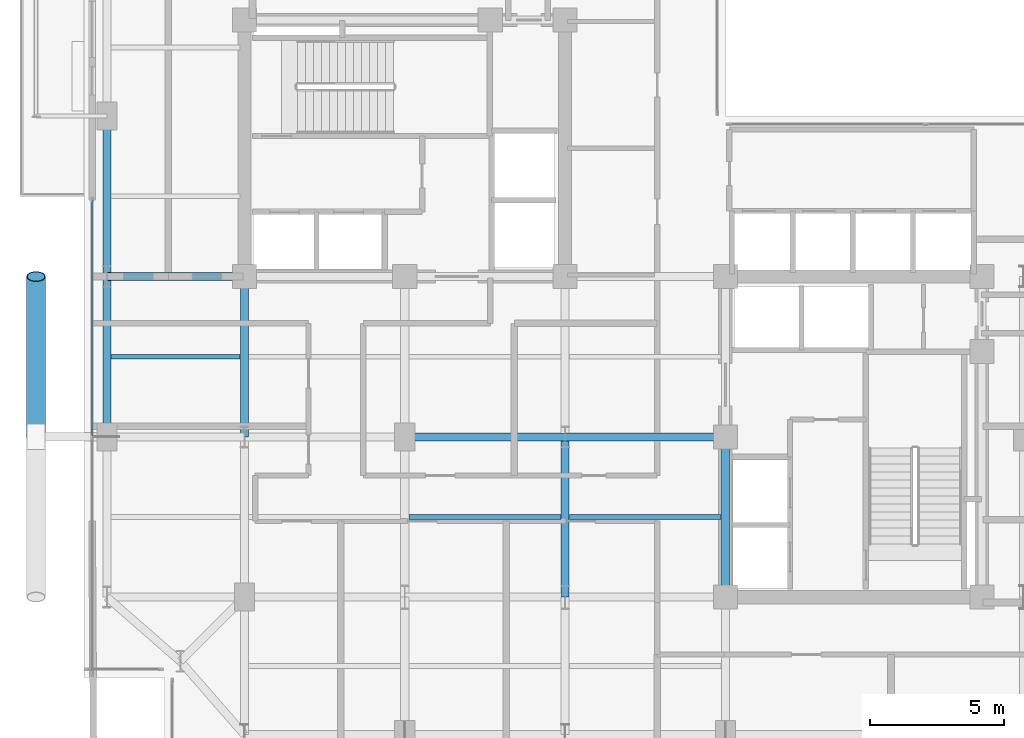
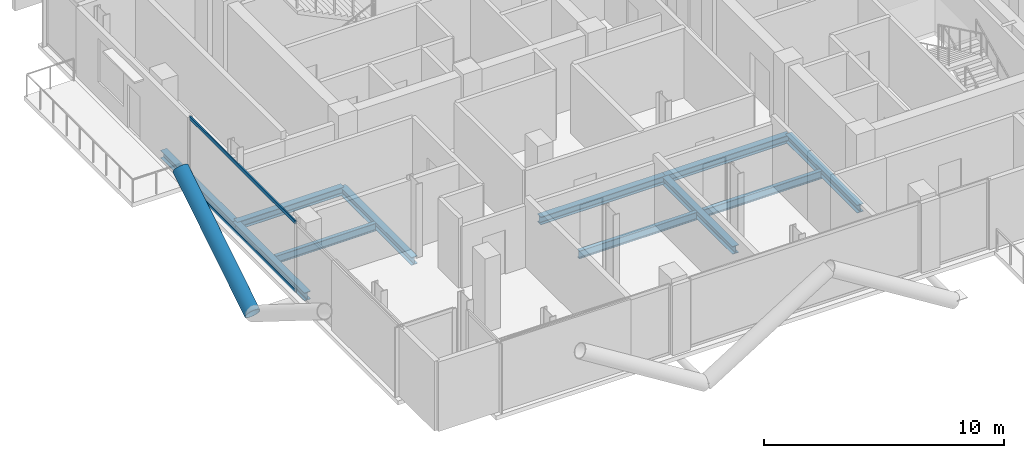
# One storey, part 6 of 26: 11 beams, 3 members, 1 element without a shape of its own.
"""IFC4 building model written with IfcOpenShell, lengths in metres."""

from ifc_helpers import new_model, si_unit, direction, frame, origin, origin_2d, place, context, subcontext, project, spatial, hollow_rectangle, hollow_circle, i_section, extrude, material, layer, layer_set, material_profile, profile_set, type_object, element, aggregate, save


model = new_model("IFC4")

# Units and contexts
model_context = context("Model", 3, precision=1e-05, world=origin(), true_north=direction((0.0, 1.0)))
body_context = subcontext(model_context, "Body", "Model", "MODEL_VIEW")
ifc_project = project(units=[si_unit("LENGTHUNIT", "METRE"), si_unit("AREAUNIT", "SQUARE_METRE"), si_unit("VOLUMEUNIT", "CUBIC_METRE"), si_unit("PLANEANGLEUNIT", "RADIAN"), si_unit("MASSUNIT", "GRAM", prefix="KILO"), si_unit("THERMODYNAMICTEMPERATUREUNIT", "KELVIN"), si_unit("POWERUNIT", "WATT")], contexts=[model_context])

# Site, building, storey
site_placement = place(None, origin())
site = spatial("IfcSite", under=ifc_project, at=site_placement, CompositionType="ELEMENT")
building_placement = place(site_placement, origin())
building = spatial("IfcBuilding", under=site, at=building_placement, Name="Svarakhadi Broadcast Tower", CompositionType="ELEMENT")
storey_placement = place(building_placement, frame((0.0, 0.0, 184.199951171875)))
storey = spatial("IfcBuildingStorey", under=building, at=storey_placement, Name="L45", CompositionType="ELEMENT", Elevation=184.199951171875)

# Beams
ifc_material_1 = material(Name="Steel S355J2 (IS 2062 E350C)", Category="steel")
ifc_material_profile_1 = material_profile(ifc_material_1, i_section(OverallWidth=0.179931640625, OverallDepth=0.39990234375, WebThickness=0.008544921875, FlangeThickness=0.013427734375, FilletRadius=0.02099609375, at=origin_2d()), Name="NPB 400x180x66")
ifc_profile_set_1 = profile_set([ifc_material_profile_1], Name="Steel S355J2 (IS 2062 E350C)")
beam_type_1 = type_object("IfcBeamType", Name="Beam_NPB400", PredefinedType="BEAM", material=ifc_profile_set_1)
beam_1_placement = place(storey_placement, frame((1.010009765625, 15.0, -0.409912109375), z_axis=(1.0, 0.0, 0.0), x_axis=(0.0, 1.0, 0.0)))
element("IfcBeam", 1, at=beam_1_placement, inside=storey, type_object=beam_type_1, Name="L45 Secondary Composite Beam SB002", PredefinedType="BEAM", context=body_context, shape_type="SweptSolid", body=[
    extrude(i_section(OverallWidth=0.179931640625, OverallDepth=0.39990234375, WebThickness=0.008544921875, FlangeThickness=0.013427734375, FilletRadius=0.02099609375, at=origin_2d()), origin(), (0.0, 0.0, 1.0), 4.830078125),
])
for number, where, z_axis, x_axis, name in (
    (2, (12.159912109375, 9.0, -0.409912109375), (1.0, 0.0, 0.0), (0.0, 1.0, 0.0), "L45 Secondary Composite Beam SB010"),
    (3, (18.159912109375, 9.0, -0.409912109375), (1.0, 0.0, 0.0), (0.0, 1.0, 0.0), "L45 Secondary Composite Beam SB014"),
):
    element("IfcBeam", number, at=place(storey_placement, frame(where, z_axis=z_axis, x_axis=x_axis)), inside=storey, type_object=beam_type_1, Name=name, PredefinedType="BEAM", context=body_context, shape_type="SweptSolid", body=[
        extrude(i_section(OverallWidth=0.179931640625, OverallDepth=0.39990234375, WebThickness=0.008544921875, FlangeThickness=0.013427734375, FilletRadius=0.02099609375, at=origin_2d()), origin(), (0.0, 0.0, 1.0), 5.68017578125),
    ])

# Curtain wall, members
ifc_material_2 = material(Name="Anodised Bronze Aluminium AA 6063-T6", Category="aluminium")
ifc_layer = layer(ifc_material_2, 0.18994140625)
ifc_layer_set = layer_set([ifc_layer], Name="Anodised Bronze Aluminium AA 6063-T6")
curtain_wall_type = type_object("IfcCurtainWallType", Name="CW_Sys_04", PredefinedType="NOTDEFINED", material=ifc_layer_set)
curtain_wall_placement = place(storey_placement, origin())
curtain_wall = element("IfcCurtainWall", 4, at=curtain_wall_placement, inside=storey, type_object=curtain_wall_type, Name="L45 West Curtain Wall 02", PredefinedType="NOTDEFINED")
ifc_material_profile_2 = material_profile(ifc_material_2, hollow_rectangle(XDim=0.06494140625, YDim=0.175048828125, WallThickness=0.0048828125, at=origin_2d()), Name="ALU TRANSOM 175x65x5")
ifc_profile_set_2 = profile_set([ifc_material_profile_2], Name="Anodised Bronze Aluminium AA 6063-T6")
member_type_1 = type_object("IfcMemberType", Name="CW_Sys_04_Trn", PredefinedType="USERDEFINED", material=ifc_profile_set_2)
member_1_placement = place(storey_placement, frame((0.300048828125, 12.034912109375, 0.032470703125), z_axis=(0.0, 1.0, 0.0), x_axis=(-1.0, 0.0, 0.0)))
member_1 = element("IfcMember", 5, at=member_1_placement, type_object=member_type_1, Name="CW-04 transom 2.1", ObjectType="TRANSOM", PredefinedType="USERDEFINED", context=body_context, shape_type="SweptSolid", body=[
    extrude(hollow_rectangle(XDim=0.06494140625, YDim=0.175048828125, WallThickness=0.0048828125, at=origin_2d()), origin(), (0.0, 0.0, 1.0), 8.80517578125),
])
member_2_placement = place(storey_placement, frame((0.300048828125, 12.034912109375, 3.507568359375), z_axis=(0.0, 1.0, 0.0), x_axis=(-1.0, 0.0, 0.0)))
member_2 = element("IfcMember", 6, at=member_2_placement, type_object=member_type_1, Name="CW-04 transom 2.2", ObjectType="TRANSOM", PredefinedType="USERDEFINED", context=body_context, shape_type="SweptSolid", body=[
    extrude(hollow_rectangle(XDim=0.06494140625, YDim=0.175048828125, WallThickness=0.0048828125, at=origin_2d()), origin(), (0.0, 0.0, 1.0), 8.80517578125),
])
aggregate(curtain_wall, [member_1, member_2])

# Member
ifc_material_3 = material(Name="Steel S460ML (IS 2062 E450BR)", Category="steel")
ifc_material_profile_3 = material_profile(ifc_material_3, hollow_circle(Radius=0.35546875, WallThickness=0.034912109375, at=origin_2d()), Name="CHS 711x35")
ifc_profile_set_3 = profile_set([ifc_material_profile_3], Name="Steel S460ML (IS 2062 E450BR)")
member_type_2 = type_object("IfcMemberType", Name="Exo_Brace_CHS711", PredefinedType="BRACE", material=ifc_profile_set_3)
member_3_placement = place(storey_placement, frame((-1.800048828125, 12.0, -0.371826171875), z_axis=(0.0, 0.847998304005, 0.529998940003), x_axis=(-1.0, 0.0, 0.0)))
element("IfcMember", 7, at=member_3_placement, inside=storey, type_object=member_type_2, Name="L45 Exposed Bronze Exoskeleton Diagonal W05", PredefinedType="BRACE", context=body_context, shape_type="SweptSolid", body=[
    extrude(hollow_circle(Radius=0.35546875, WallThickness=0.034912109375, at=origin_2d()), origin(), (0.0, 0.0, 1.0), 7.075439453125),
])

# Beams
ifc_material_profile_4 = material_profile(ifc_material_1, i_section(OverallWidth=0.300048828125, OverallDepth=0.39990234375, WebThickness=0.013427734375, FlangeThickness=0.02392578125, FilletRadius=0.027099609375, at=origin_2d()), Name="WPB 400x300x155")
ifc_profile_set_4 = profile_set([ifc_material_profile_4], Name="Steel S355J2 (IS 2062 E350C)")
beam_type_2 = type_object("IfcBeamType", Name="Girder_WPB400", PredefinedType="USERDEFINED", material=ifc_profile_set_4)
for number, where, z_axis, x_axis, name in (
    (8, (12.0, 12.0, -0.409912109375), (1.0, 0.0, 0.0), (0.0, 1.0, 0.0), "L45 Primary E-W Girder G017"),
    (9, (18.0, 12.0, -0.409912109375), (1.0, 0.0, 0.0), (0.0, 1.0, 0.0), "L45 Primary E-W Girder G018"),
):
    element("IfcBeam", number, at=place(storey_placement, frame(where, z_axis=z_axis, x_axis=x_axis)), inside=storey, type_object=beam_type_2, Name=name, ObjectType="GIRDER", PredefinedType="USERDEFINED", context=body_context, shape_type="SweptSolid", body=[
        extrude(i_section(OverallWidth=0.300048828125, OverallDepth=0.39990234375, WebThickness=0.013427734375, FlangeThickness=0.02392578125, FilletRadius=0.027099609375, at=origin_2d()), origin(), (0.0, 0.0, 1.0), 6.0),
    ])
beam_2_placement = place(storey_placement, frame((0.85009765625, 18.0, -0.409912109375), z_axis=(1.0, 0.0, 0.0), x_axis=(0.0, 1.0, 0.0)))
element("IfcBeam", 10, at=beam_2_placement, inside=storey, type_object=beam_type_2, Name="L45 Primary E-W Girder G020", ObjectType="GIRDER", PredefinedType="USERDEFINED", context=body_context, shape_type="SweptSolid", body=[
    extrude(i_section(OverallWidth=0.300048828125, OverallDepth=0.39990234375, WebThickness=0.013427734375, FlangeThickness=0.02392578125, FilletRadius=0.027099609375, at=origin_2d()), origin(), (0.0, 0.0, 1.0), 5.14990234375),
])
for number, where, z_axis, x_axis, name in (
    (11, (0.85009765625, 12.0, -0.409912109375), (0.0, 1.0, 0.0), (-1.0, 0.0, 0.0), "L45 Primary N-S Girder G034"),
    (12, (0.85009765625, 18.0, -0.409912109375), (0.0, 1.0, 0.0), (-1.0, 0.0, 0.0), "L45 Primary N-S Girder G035"),
    (13, (6.0, 12.0, -0.409912109375), (0.0, 1.0, 0.0), (-1.0, 0.0, 0.0), "L45 Primary N-S Girder G039"),
    (14, (18.0, 6.0, -0.409912109375), (0.0, 1.0, 0.0), (-1.0, 0.0, 0.0), "L45 Primary N-S Girder G047"),
    (15, (24.0, 6.0, -0.409912109375), (0.0, 1.0, 0.0), (-1.0, 0.0, 0.0), "L45 Primary N-S Girder G052"),
):
    element("IfcBeam", number, at=place(storey_placement, frame(where, z_axis=z_axis, x_axis=x_axis)), inside=storey, type_object=beam_type_2, Name=name, ObjectType="GIRDER", PredefinedType="USERDEFINED", context=body_context, shape_type="SweptSolid", body=[
        extrude(i_section(OverallWidth=0.300048828125, OverallDepth=0.39990234375, WebThickness=0.013427734375, FlangeThickness=0.02392578125, FilletRadius=0.027099609375, at=origin_2d()), origin(), (0.0, 0.0, 1.0), 6.0),
    ])

save(model, "model.ifc")
